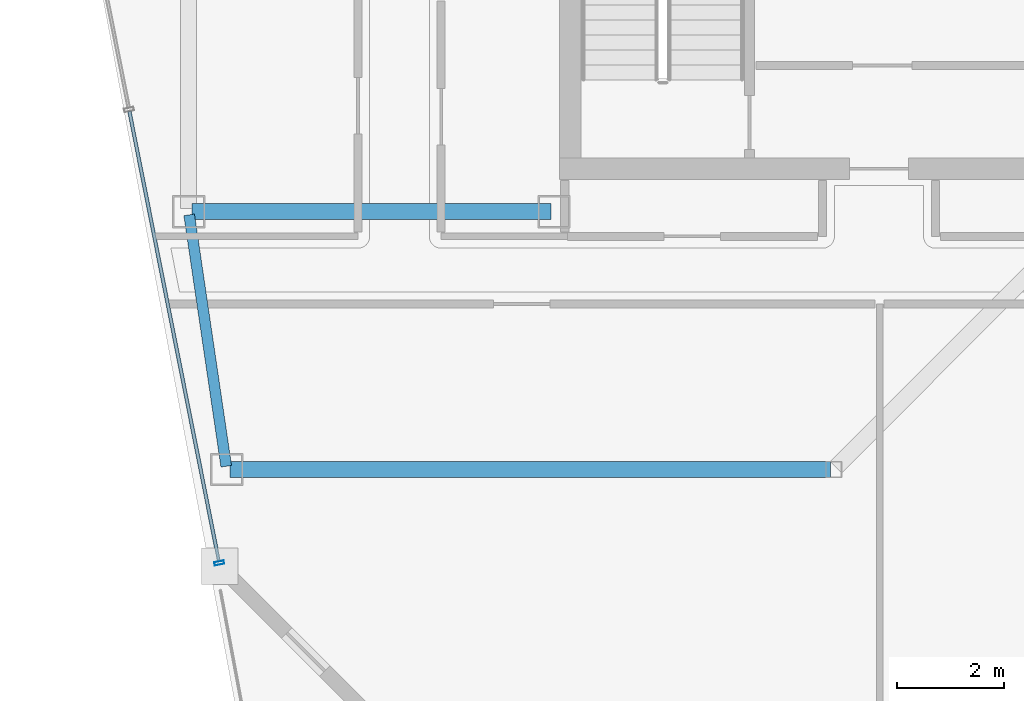
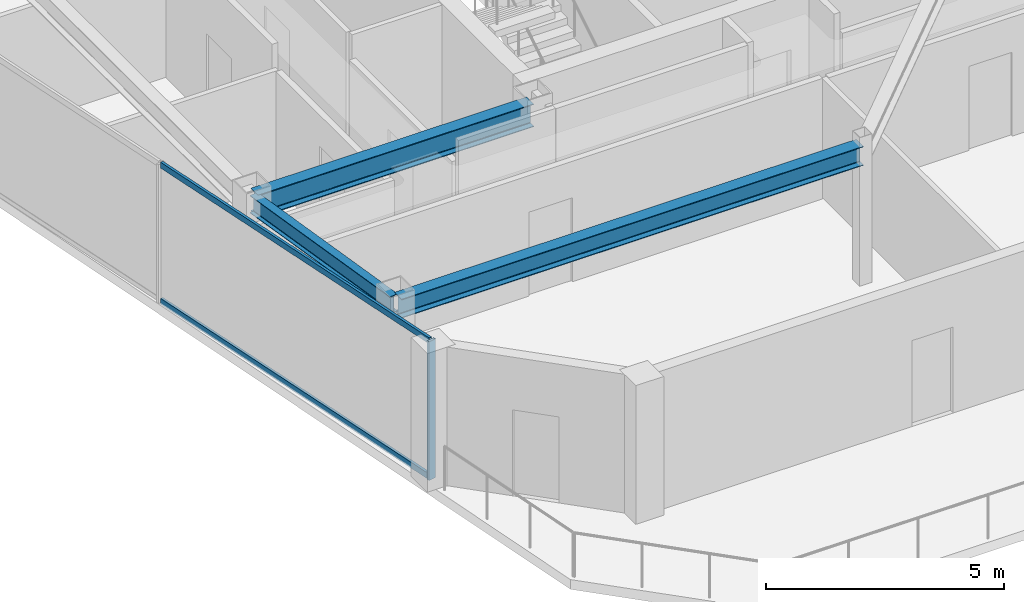
# One storey, part 3 of 20: 3 beams, 3 members, 1 element without a shape of its own.
"""IFC4 building model written with IfcOpenShell, lengths in metres."""

from ifc_helpers import new_model, si_unit, direction, frame, origin, origin_2d, place, context, subcontext, project, spatial, hollow_rectangle, i_section, extrude, material, material_profile, profile_set, type_object, element, aggregate, save


model = new_model("IFC4")

# Units and contexts
model_context = context("Model", 3, precision=1e-05, world=origin(), true_north=direction((0.0, 1.0)))
body_context = subcontext(model_context, "Body", "Model", "MODEL_VIEW")
ifc_project = project(units=[si_unit("LENGTHUNIT", "METRE"), si_unit("AREAUNIT", "SQUARE_METRE"), si_unit("VOLUMEUNIT", "CUBIC_METRE"), si_unit("PLANEANGLEUNIT", "RADIAN"), si_unit("MASSUNIT", "GRAM", prefix="KILO")], contexts=[model_context])

# Site, building, storey
site_placement = place(None, origin())
site = spatial("IfcSite", under=ifc_project, at=site_placement, CompositionType="ELEMENT")
building_placement = place(site_placement, origin())
building = spatial("IfcBuilding", under=site, at=building_placement, Name="Saevonmaru Cultural Tower", CompositionType="ELEMENT")
storey_placement = place(building_placement, frame((0.0, 0.0, 295.199951171875)))
storey = spatial("IfcBuildingStorey", under=building, at=storey_placement, Name="L70", CompositionType="ELEMENT", Elevation=295.199951171875)

# Beams
ifc_material_1 = material(Name="Steel SM355", Category="steel")
ifc_material_profile_1 = material_profile(ifc_material_1, i_section(OverallWidth=0.300048828125, OverallDepth=0.488037109375, WebThickness=0.010986328125, FlangeThickness=0.01806640625, FilletRadius=0.02197265625, at=origin_2d()), Name="H-488x300x11x18")
ifc_profile_set_1 = profile_set([ifc_material_profile_1], Name="Steel SM355")
beam_type_1 = type_object("IfcBeamType", Name="BM-G-H488", PredefinedType="BEAM", material=ifc_profile_set_1)
beam_1_placement = place(storey_placement, frame((7.568115234375, 37.60009765625, 3.30615234375), z_axis=(1.0, 0.0, 0.0), x_axis=(0.0, 1.0, 0.0)))
element("IfcBeam", 1, at=beam_1_placement, inside=storey, type_object=beam_type_1, Name="L70 West Wing Transverse Girder 1", PredefinedType="BEAM", context=body_context, shape_type="SweptSolid", body=[
    extrude(i_section(OverallWidth=0.300048828125, OverallDepth=0.488037109375, WebThickness=0.010986328125, FlangeThickness=0.01806640625, FilletRadius=0.02197265625, at=origin_2d()), origin(), (0.0, 0.0, 1.0), 11.179931640625),
])
ifc_material_profile_2 = material_profile(ifc_material_1, i_section(OverallWidth=0.300048828125, OverallDepth=0.587890625, WebThickness=0.011962890625, FlangeThickness=0.02001953125, FilletRadius=0.02392578125, at=origin_2d()), Name="H-588x300x12x20")
ifc_profile_set_2 = profile_set([ifc_material_profile_2], Name="Steel SM355")
beam_type_2 = type_object("IfcBeamType", Name="BM-G-H588", PredefinedType="BEAM", material=ifc_profile_set_2)
beam_2_placement = place(storey_placement, frame((6.860107421875, 42.39990234375, 3.256103515625), z_axis=(1.0, 0.0, 0.0), x_axis=(0.0, 1.0, 0.0)))
element("IfcBeam", 2, at=beam_2_placement, inside=storey, type_object=beam_type_2, Name="L70 Core South Girder 1", PredefinedType="BEAM", context=body_context, shape_type="SweptSolid", body=[
    extrude(i_section(OverallWidth=0.300048828125, OverallDepth=0.587890625, WebThickness=0.011962890625, FlangeThickness=0.02001953125, FilletRadius=0.02392578125, at=origin_2d()), origin(), (0.0, 0.0, 1.0), 6.679931640625),
])
ifc_material_profile_3 = material_profile(ifc_material_1, i_section(OverallWidth=0.199951171875, OverallDepth=0.449951171875, WebThickness=0.009033203125, FlangeThickness=0.013916015625, FilletRadius=0.01806640625, at=origin_2d()), Name="H-450x200x9x14")
ifc_profile_set_3 = profile_set([ifc_material_profile_3], Name="Steel SM355")
beam_type_3 = type_object("IfcBeamType", Name="BM-SP-H450", PredefinedType="SPANDREL", material=ifc_profile_set_3)
beam_3_placement = place(storey_placement, frame((7.499267578125, 37.659423828125, 3.324951171875), z_axis=(-0.145912860028, 0.989297446312, 0.0), x_axis=(-0.989297446312, -0.145912860028, 0.0)))
element("IfcBeam", 3, at=beam_3_placement, inside=storey, type_object=beam_type_3, Name="L70 West Splayed Spandrel 1", PredefinedType="SPANDREL", context=body_context, shape_type="SweptSolid", body=[
    extrude(i_section(OverallWidth=0.199951171875, OverallDepth=0.449951171875, WebThickness=0.009033203125, FlangeThickness=0.013916015625, FilletRadius=0.01806640625, at=origin_2d()), origin(), (0.0, 0.0, 1.0), 4.731689453125),
])

# Curtain wall, members
ifc_material_2 = material(Name="Satin Bronze Anodised Aluminium", Category="aluminium")
curtain_wall_type = type_object("IfcCurtainWallType", Name="CW-TYP-B", PredefinedType="NOTDEFINED", material=ifc_material_2)
curtain_wall_placement = place(storey_placement, origin())
curtain_wall = element("IfcCurtainWall", 4, at=curtain_wall_placement, inside=storey, type_object=curtain_wall_type, Name="L70 Unitised Curtain Wall E12", PredefinedType="NOTDEFINED")
ifc_material_profile_4 = material_profile(ifc_material_2, hollow_rectangle(XDim=0.06494140625, YDim=0.179931640625, WallThickness=0.00390625, at=origin_2d()), Name="ALU-MULL-180x65x4")
ifc_profile_set_4 = profile_set([ifc_material_profile_4], Name="Satin Bronze Anodised Aluminium")
member_type_1 = type_object("IfcMemberType", Name="ML-CW-180x65", PredefinedType="MULLION", material=ifc_profile_set_4)
member_1_placement = place(storey_placement, frame((7.368408203125, 35.85888671875, 0.0), z_axis=(0.0, 0.0, 1.0), x_axis=(0.195005484813, -0.980802151758, 0.0)))
member_1 = element("IfcMember", 5, at=member_1_placement, type_object=member_type_1, Name="CW-TW-L70-E12 mullion 3", PredefinedType="MULLION", context=body_context, shape_type="SweptSolid", body=[
    extrude(hollow_rectangle(XDim=0.06494140625, YDim=0.179931640625, WallThickness=0.00390625, at=origin_2d()), origin(), (0.0, 0.0, 1.0), 3.550048828125),
])
ifc_material_profile_5 = material_profile(ifc_material_2, hollow_rectangle(XDim=0.06494140625, YDim=0.14990234375, WallThickness=0.00390625, at=origin_2d()), Name="ALU-TRAN-150x65x4")
ifc_profile_set_5 = profile_set([ifc_material_profile_5], Name="Satin Bronze Anodised Aluminium")
member_type_2 = type_object("IfcMemberType", Name="TR-CW-150x65", PredefinedType="USERDEFINED", material=ifc_profile_set_5)
member_2_placement = place(storey_placement, frame((5.6962890625, 44.26806640625, 0.032470703125), z_axis=(0.195022161716, -0.980798835868, 0.0), x_axis=(0.980798835868, 0.195022161716, 0.0)))
member_2 = element("IfcMember", 6, at=member_2_placement, type_object=member_type_2, Name="CW-TW-L70-E12 transom 2.1", ObjectType="TRANSOM", PredefinedType="USERDEFINED", context=body_context, shape_type="SweptSolid", body=[
    extrude(hollow_rectangle(XDim=0.06494140625, YDim=0.14990234375, WallThickness=0.00390625, at=origin_2d()), origin(), (0.0, 0.0, 1.0), 8.54150390625),
])
member_3_placement = place(storey_placement, frame((5.6962890625, 44.26806640625, 3.517578125), z_axis=(0.195022161716, -0.980798835868, 0.0), x_axis=(0.980798835868, 0.195022161716, 0.0)))
member_3 = element("IfcMember", 7, at=member_3_placement, type_object=member_type_2, Name="CW-TW-L70-E12 transom 2.2", ObjectType="TRANSOM", PredefinedType="USERDEFINED", context=body_context, shape_type="SweptSolid", body=[
    extrude(hollow_rectangle(XDim=0.06494140625, YDim=0.14990234375, WallThickness=0.00390625, at=origin_2d()), origin(), (0.0, 0.0, 1.0), 8.54150390625),
])
aggregate(curtain_wall, [member_1, member_2, member_3])

save(model, "model.ifc")
